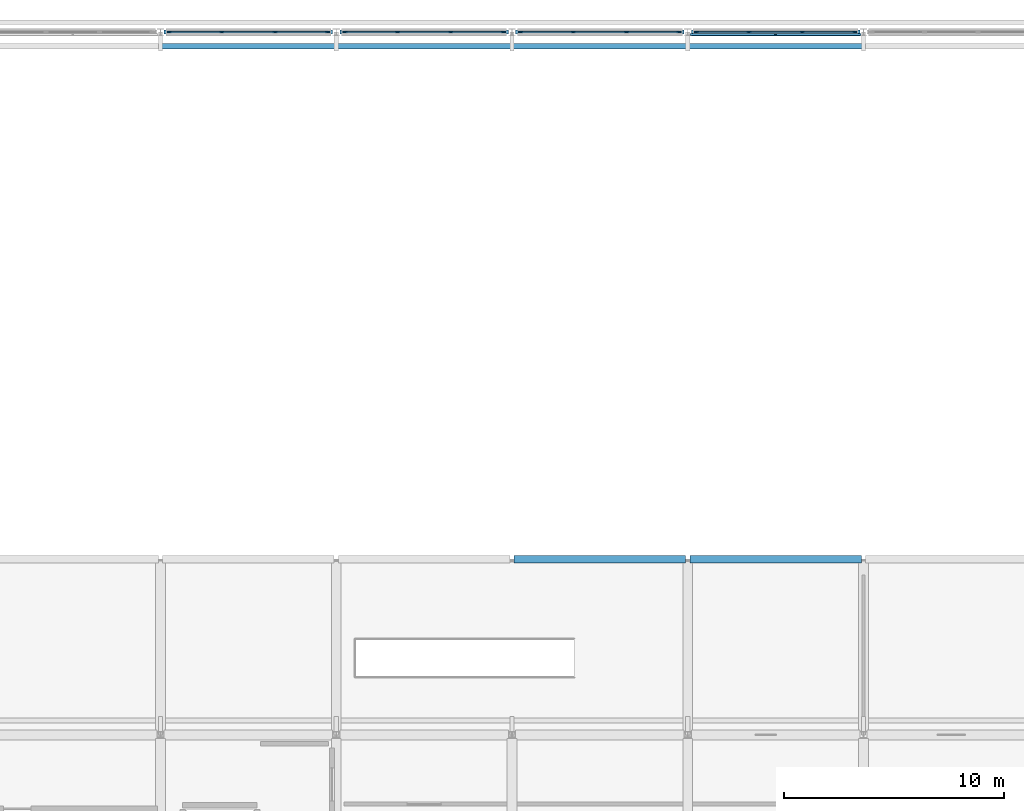
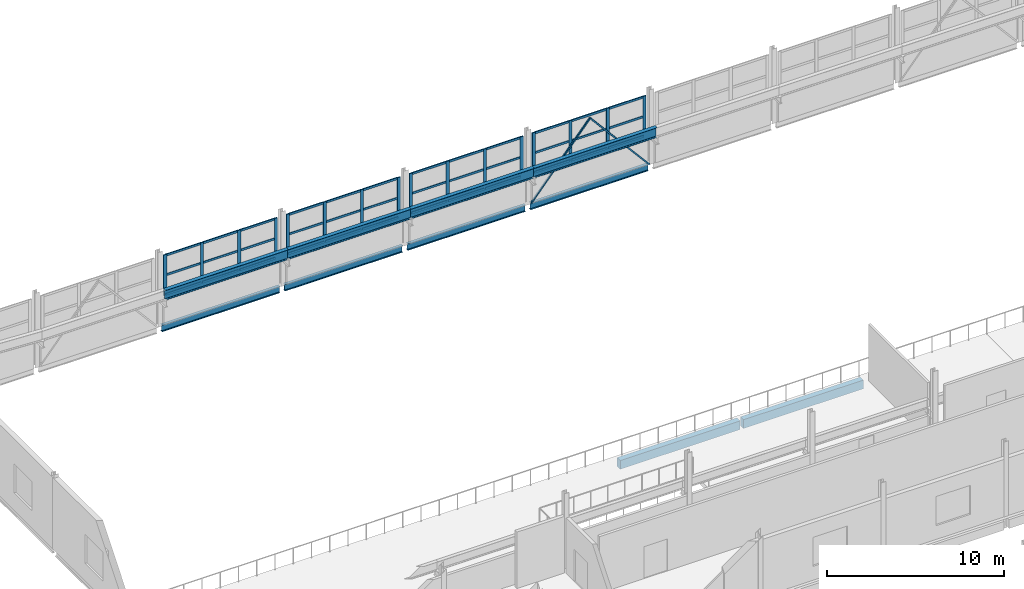
# One storey, part 47 of 106: 54 members, 10 beams, 4 elements without a shape of their own.
"""IFC4 building model written with IfcOpenShell, lengths in metres."""

from ifc_helpers import new_model, si_unit, direction, frame, origin, origin_2d, place, context, subcontext, project, spatial, rectangle, hollow_rectangle, i_section, extrude, material, layer, layer_set, material_profile, profile_set, type_object, element, aggregate, save


model = new_model("IFC4")

# Units and contexts
model_context = context("Model", 3, precision=1e-05, world=origin(), true_north=direction((0.0, 1.0)))
body_context = subcontext(model_context, "Body", "Model", "MODEL_VIEW")
ifc_project = project(units=[si_unit("LENGTHUNIT", "METRE"), si_unit("AREAUNIT", "SQUARE_METRE"), si_unit("VOLUMEUNIT", "CUBIC_METRE"), si_unit("PLANEANGLEUNIT", "RADIAN"), si_unit("MASSUNIT", "GRAM", prefix="KILO")], contexts=[model_context])

# Site, building, storey
site_placement = place(None, origin())
site = spatial("IfcSite", under=ifc_project, at=site_placement, CompositionType="ELEMENT")
building_placement = place(site_placement, origin())
building = spatial("IfcBuilding", under=site, at=building_placement, Name="Jelvoka-Kovrelna Polytechnic", CompositionType="ELEMENT")
storey_placement = place(building_placement, frame((0.0, 0.0, 4.800048828125)))
storey = spatial("IfcBuildingStorey", under=building, at=storey_placement, Name="L02", CompositionType="ELEMENT", Elevation=4.800048828125)

# Beams
ifc_material_1 = material(Name="Structural steel S355JR", Category="steel")
ifc_material_profile_1 = material_profile(ifc_material_1, i_section(OverallWidth=0.2529296875, OverallDepth=0.677978515625, WebThickness=0.01171875, FlangeThickness=0.01611328125, FilletRadius=0.01513671875, at=origin_2d()), Name="686x254x125 UB")
ifc_profile_set_1 = profile_set([ifc_material_profile_1], Name="Structural steel S355JR")
beam_type_1 = type_object("IfcBeamType", Name="CraneGirder_UB686", PredefinedType="USERDEFINED", material=ifc_profile_set_1)
for number, where, z_axis, x_axis, name in (
    (1, (104.0, 119.35009765625, 2.538818359375), (1.0, 0.0, 0.0), (0.0, 1.0, 0.0), "L02 workshop crane runway girder 006"),
    (2, (112.0, 119.35009765625, 2.538818359375), (1.0, 0.0, 0.0), (0.0, 1.0, 0.0), "L02 workshop crane runway girder 008"),
    (3, (120.0, 119.35009765625, 2.538818359375), (1.0, 0.0, 0.0), (0.0, 1.0, 0.0), "L02 workshop crane runway girder 010"),
    (4, (128.0, 119.35009765625, 2.538818359375), (1.0, 0.0, 0.0), (0.0, 1.0, 0.0), "L02 workshop crane runway girder 012"),
):
    element("IfcBeam", number, at=place(storey_placement, frame(where, z_axis=z_axis, x_axis=x_axis)), inside=storey, type_object=beam_type_1, Name=name, ObjectType="CRANE RUNWAY", PredefinedType="USERDEFINED", context=body_context, shape_type="SweptSolid", body=[
        extrude(i_section(OverallWidth=0.2529296875, OverallDepth=0.677978515625, WebThickness=0.01171875, FlangeThickness=0.01611328125, FilletRadius=0.01513671875, at=origin_2d()), origin(), (0.0, 0.0, 1.0), 8.0),
    ])
ifc_material_2 = material(Name="Structural steel S355JR", Category="steel")
ifc_material_profile_2 = material_profile(ifc_material_2, i_section(OverallWidth=0.18994140625, OverallDepth=0.453369140625, WebThickness=0.008544921875, FlangeThickness=0.0126953125, FilletRadius=0.01025390625, at=origin_2d()), Name="457x191x67 UB")
ifc_profile_set_2 = profile_set([ifc_material_profile_2], Name="Structural steel S355JR")
beam_type_2 = type_object("IfcBeamType", Name="Girder_Steel_UB457", PredefinedType="BEAM", material=ifc_profile_set_2)
for number, where, z_axis, x_axis, name in (
    (5, (104.164306640625, 120.0, -0.226806640625), (1.0, 0.0, 0.0), (0.0, 1.0, 0.0), "L02 beam 0015"),
    (6, (112.164306640625, 120.0, -0.226806640625), (1.0, 0.0, 0.0), (0.0, 1.0, 0.0), "L02 beam 0020"),
    (7, (120.164306640625, 120.0, -0.226806640625), (1.0, 0.0, 0.0), (0.0, 1.0, 0.0), "L02 beam 0025"),
    (8, (128.164306640625, 120.0, -0.226806640625), (1.0, 0.0, 0.0), (0.0, 1.0, 0.0), "L02 beam 0030"),
):
    element("IfcBeam", number, at=place(storey_placement, frame(where, z_axis=z_axis, x_axis=x_axis)), inside=storey, type_object=beam_type_2, Name=name, PredefinedType="BEAM", context=body_context, shape_type="SweptSolid", body=[
        extrude(i_section(OverallWidth=0.18994140625, OverallDepth=0.453369140625, WebThickness=0.008544921875, FlangeThickness=0.0126953125, FilletRadius=0.01025390625, at=origin_2d()), origin(), (0.0, 0.0, 1.0), 7.67138671875),
    ])

# Members
ifc_material_3 = material(Name="Structural steel S355J2H", Category="steel")
ifc_material_profile_3 = material_profile(ifc_material_3, hollow_rectangle(XDim=0.10009765625, YDim=0.10009765625, WallThickness=0.00634765625, InnerFilletRadius=0.00634765625, OuterFilletRadius=0.009521484375, at=origin_2d()), Name="100x100x6.3 SHS")
ifc_profile_set_3 = profile_set([ifc_material_profile_3], Name="Structural steel S355J2H")
member_type_1 = type_object("IfcMemberType", Name="Member_Brace_SHS100", PredefinedType="BRACE", material=ifc_profile_set_3)
for number, where, z_axis, x_axis, name in (
    (9, (128.14990234375, 119.8798828125, 0.02001953125), (0.647606697765, 0.0, 0.761974779773), (0.0, 1.0, 0.0), "L02 workshop vertical wall K-brace 0237"),
    (10, (135.85009765625, 119.8798828125, 0.02001953125), (-0.647606697765, 0.0, 0.761974779773), (0.0, -1.0, 0.0), "L02 workshop vertical wall K-brace 0238"),
):
    element("IfcMember", number, at=place(storey_placement, frame(where, z_axis=z_axis, x_axis=x_axis)), inside=storey, type_object=member_type_1, Name=name, PredefinedType="BRACE", context=body_context, shape_type="SweptSolid", body=[
        extrude(hollow_rectangle(XDim=0.10009765625, YDim=0.10009765625, WallThickness=0.00634765625, InnerFilletRadius=0.00634765625, OuterFilletRadius=0.009521484375, at=origin_2d()), origin(), (0.0, 0.0, 1.0), 5.945068359375),
    ])

# Curtain wall, members
ifc_material_4 = material(Name="Anodised aluminium 6063-T6", Category="aluminium")
ifc_layer = layer(ifc_material_4, 0.199951171875)
ifc_layer_set = layer_set([ifc_layer], Name="Anodised aluminium 6063-T6")
curtain_wall_type = type_object("IfcCurtainWallType", Name="CW_Clerestory", PredefinedType="NOTDEFINED", material=ifc_layer_set)
curtain_wall_1_placement = place(storey_placement, origin())
curtain_wall_1 = element("IfcCurtainWall", 11, at=curtain_wall_1_placement, inside=storey, type_object=curtain_wall_type, Name="L02 glazed curtain wall 171", PredefinedType="NOTDEFINED")
ifc_material_5 = material(Name="Anodised aluminium 6063-T6", Category="aluminium")
ifc_material_profile_4 = material_profile(ifc_material_5, rectangle(XDim=0.070068359375, YDim=0.199951171875, at=origin_2d()), Name="ALU 70x200")
ifc_profile_set_4 = profile_set([ifc_material_profile_4], Name="Anodised aluminium 6063-T6")
member_type_2 = type_object("IfcMemberType", Name="Mullion_M-03", PredefinedType="MULLION", material=ifc_profile_set_4)
member_1_placement = place(storey_placement, frame((104.39501953125, 120.0, 1.925048828125), z_axis=(0.0, 0.0, 1.0), x_axis=(0.0, 1.0, 0.0)))
member_1 = element("IfcMember", 12, at=member_1_placement, type_object=member_type_2, Name="CW-03 mullion 1", PredefinedType="MULLION", context=body_context, shape_type="SweptSolid", body=[
    extrude(rectangle(XDim=0.070068359375, YDim=0.199951171875, at=origin_2d()), origin(), (0.0, 0.0, 1.0), 2.820068359375),
])
member_2_placement = place(storey_placement, frame((106.78662109375, 120.0, 1.925048828125), z_axis=(0.0, 0.0, 1.0), x_axis=(0.0, 1.0, 0.0)))
member_2 = element("IfcMember", 13, at=member_2_placement, type_object=member_type_2, Name="CW-03 mullion 2", PredefinedType="MULLION", context=body_context, shape_type="SweptSolid", body=[
    extrude(rectangle(XDim=0.070068359375, YDim=0.199951171875, at=origin_2d()), origin(), (0.0, 0.0, 1.0), 2.820068359375),
])
member_3_placement = place(storey_placement, frame((109.21337890625, 120.0, 1.925048828125), z_axis=(0.0, 0.0, 1.0), x_axis=(0.0, 1.0, 0.0)))
member_3 = element("IfcMember", 14, at=member_3_placement, type_object=member_type_2, Name="CW-03 mullion 3", PredefinedType="MULLION", context=body_context, shape_type="SweptSolid", body=[
    extrude(rectangle(XDim=0.070068359375, YDim=0.199951171875, at=origin_2d()), origin(), (0.0, 0.0, 1.0), 2.820068359375),
])
member_4_placement = place(storey_placement, frame((111.60498046875, 120.0, 1.925048828125), z_axis=(0.0, 0.0, 1.0), x_axis=(0.0, 1.0, 0.0)))
member_4 = element("IfcMember", 15, at=member_4_placement, type_object=member_type_2, Name="CW-03 mullion 4", PredefinedType="MULLION", context=body_context, shape_type="SweptSolid", body=[
    extrude(rectangle(XDim=0.070068359375, YDim=0.199951171875, at=origin_2d()), origin(), (0.0, 0.0, 1.0), 2.820068359375),
])

curtain_wall_2_placement = place(storey_placement, origin())
curtain_wall_2 = element("IfcCurtainWall", 16, at=curtain_wall_2_placement, inside=storey, type_object=curtain_wall_type, Name="L02 glazed curtain wall 172", PredefinedType="NOTDEFINED")
member_5_placement = place(storey_placement, frame((112.39501953125, 120.0, 1.925048828125), z_axis=(0.0, 0.0, 1.0), x_axis=(0.0, 1.0, 0.0)))
member_5 = element("IfcMember", 17, at=member_5_placement, type_object=member_type_2, Name="CW-03 mullion 1", PredefinedType="MULLION", context=body_context, shape_type="SweptSolid", body=[
    extrude(rectangle(XDim=0.070068359375, YDim=0.199951171875, at=origin_2d()), origin(), (0.0, 0.0, 1.0), 2.820068359375),
])
member_6_placement = place(storey_placement, frame((114.78662109375, 120.0, 1.925048828125), z_axis=(0.0, 0.0, 1.0), x_axis=(0.0, 1.0, 0.0)))
member_6 = element("IfcMember", 18, at=member_6_placement, type_object=member_type_2, Name="CW-03 mullion 2", PredefinedType="MULLION", context=body_context, shape_type="SweptSolid", body=[
    extrude(rectangle(XDim=0.070068359375, YDim=0.199951171875, at=origin_2d()), origin(), (0.0, 0.0, 1.0), 2.820068359375),
])
member_7_placement = place(storey_placement, frame((117.21337890625, 120.0, 1.925048828125), z_axis=(0.0, 0.0, 1.0), x_axis=(0.0, 1.0, 0.0)))
member_7 = element("IfcMember", 19, at=member_7_placement, type_object=member_type_2, Name="CW-03 mullion 3", PredefinedType="MULLION", context=body_context, shape_type="SweptSolid", body=[
    extrude(rectangle(XDim=0.070068359375, YDim=0.199951171875, at=origin_2d()), origin(), (0.0, 0.0, 1.0), 2.820068359375),
])
member_8_placement = place(storey_placement, frame((119.60498046875, 120.0, 1.925048828125), z_axis=(0.0, 0.0, 1.0), x_axis=(0.0, 1.0, 0.0)))
member_8 = element("IfcMember", 20, at=member_8_placement, type_object=member_type_2, Name="CW-03 mullion 4", PredefinedType="MULLION", context=body_context, shape_type="SweptSolid", body=[
    extrude(rectangle(XDim=0.070068359375, YDim=0.199951171875, at=origin_2d()), origin(), (0.0, 0.0, 1.0), 2.820068359375),
])

curtain_wall_3_placement = place(storey_placement, origin())
curtain_wall_3 = element("IfcCurtainWall", 21, at=curtain_wall_3_placement, inside=storey, type_object=curtain_wall_type, Name="L02 glazed curtain wall 173", PredefinedType="NOTDEFINED")
member_9_placement = place(storey_placement, frame((120.39501953125, 120.0, 1.925048828125), z_axis=(0.0, 0.0, 1.0), x_axis=(0.0, 1.0, 0.0)))
member_9 = element("IfcMember", 22, at=member_9_placement, type_object=member_type_2, Name="CW-03 mullion 1", PredefinedType="MULLION", context=body_context, shape_type="SweptSolid", body=[
    extrude(rectangle(XDim=0.070068359375, YDim=0.199951171875, at=origin_2d()), origin(), (0.0, 0.0, 1.0), 2.820068359375),
])
member_10_placement = place(storey_placement, frame((122.78662109375, 120.0, 1.925048828125), z_axis=(0.0, 0.0, 1.0), x_axis=(0.0, 1.0, 0.0)))
member_10 = element("IfcMember", 23, at=member_10_placement, type_object=member_type_2, Name="CW-03 mullion 2", PredefinedType="MULLION", context=body_context, shape_type="SweptSolid", body=[
    extrude(rectangle(XDim=0.070068359375, YDim=0.199951171875, at=origin_2d()), origin(), (0.0, 0.0, 1.0), 2.820068359375),
])
member_11_placement = place(storey_placement, frame((125.21337890625, 120.0, 1.925048828125), z_axis=(0.0, 0.0, 1.0), x_axis=(0.0, 1.0, 0.0)))
member_11 = element("IfcMember", 24, at=member_11_placement, type_object=member_type_2, Name="CW-03 mullion 3", PredefinedType="MULLION", context=body_context, shape_type="SweptSolid", body=[
    extrude(rectangle(XDim=0.070068359375, YDim=0.199951171875, at=origin_2d()), origin(), (0.0, 0.0, 1.0), 2.820068359375),
])
member_12_placement = place(storey_placement, frame((127.60498046875, 120.0, 1.925048828125), z_axis=(0.0, 0.0, 1.0), x_axis=(0.0, 1.0, 0.0)))
member_12 = element("IfcMember", 25, at=member_12_placement, type_object=member_type_2, Name="CW-03 mullion 4", PredefinedType="MULLION", context=body_context, shape_type="SweptSolid", body=[
    extrude(rectangle(XDim=0.070068359375, YDim=0.199951171875, at=origin_2d()), origin(), (0.0, 0.0, 1.0), 2.820068359375),
])

curtain_wall_4_placement = place(storey_placement, origin())
curtain_wall_4 = element("IfcCurtainWall", 26, at=curtain_wall_4_placement, inside=storey, type_object=curtain_wall_type, Name="L02 glazed curtain wall 174", PredefinedType="NOTDEFINED")
member_13_placement = place(storey_placement, frame((128.39501953125, 120.0, 1.925048828125), z_axis=(0.0, 0.0, 1.0), x_axis=(0.0, 1.0, 0.0)))
member_13 = element("IfcMember", 27, at=member_13_placement, type_object=member_type_2, Name="CW-03 mullion 1", PredefinedType="MULLION", context=body_context, shape_type="SweptSolid", body=[
    extrude(rectangle(XDim=0.070068359375, YDim=0.199951171875, at=origin_2d()), origin(), (0.0, 0.0, 1.0), 2.820068359375),
])
member_14_placement = place(storey_placement, frame((130.78662109375, 120.0, 1.925048828125), z_axis=(0.0, 0.0, 1.0), x_axis=(0.0, 1.0, 0.0)))
member_14 = element("IfcMember", 28, at=member_14_placement, type_object=member_type_2, Name="CW-03 mullion 2", PredefinedType="MULLION", context=body_context, shape_type="SweptSolid", body=[
    extrude(rectangle(XDim=0.070068359375, YDim=0.199951171875, at=origin_2d()), origin(), (0.0, 0.0, 1.0), 2.820068359375),
])
member_15_placement = place(storey_placement, frame((133.21337890625, 120.0, 1.925048828125), z_axis=(0.0, 0.0, 1.0), x_axis=(0.0, 1.0, 0.0)))
member_15 = element("IfcMember", 29, at=member_15_placement, type_object=member_type_2, Name="CW-03 mullion 3", PredefinedType="MULLION", context=body_context, shape_type="SweptSolid", body=[
    extrude(rectangle(XDim=0.070068359375, YDim=0.199951171875, at=origin_2d()), origin(), (0.0, 0.0, 1.0), 2.820068359375),
])
member_16_placement = place(storey_placement, frame((135.60498046875, 120.0, 1.925048828125), z_axis=(0.0, 0.0, 1.0), x_axis=(0.0, 1.0, 0.0)))
member_16 = element("IfcMember", 30, at=member_16_placement, type_object=member_type_2, Name="CW-03 mullion 4", PredefinedType="MULLION", context=body_context, shape_type="SweptSolid", body=[
    extrude(rectangle(XDim=0.070068359375, YDim=0.199951171875, at=origin_2d()), origin(), (0.0, 0.0, 1.0), 2.820068359375),
])

# Beams
ifc_material_6 = material(Name="Concrete C40/50", Category="concrete")
ifc_material_profile_5 = material_profile(ifc_material_6, rectangle(XDim=0.35009765625, YDim=0.60009765625, at=origin_2d()), Name="RC 350x600")
ifc_profile_set_5 = profile_set([ifc_material_profile_5], Name="Concrete C40/50")
beam_type_3 = type_object("IfcBeamType", Name="Spandrel_RC_350x600", PredefinedType="SPANDREL", material=ifc_profile_set_5)
for number, where, z_axis, x_axis, name in (
    (31, (120.0830078125, 96.0, -0.580078125), (1.0, 0.0, 0.0), (0.0, 1.0, 0.0), "L02 beam 0564"),
    (32, (128.107421875, 96.0, -0.580078125), (1.0, 0.0, 0.0), (0.0, 1.0, 0.0), "L02 beam 0565"),
):
    element("IfcBeam", number, at=place(storey_placement, frame(where, z_axis=z_axis, x_axis=x_axis)), inside=storey, type_object=beam_type_3, Name=name, PredefinedType="SPANDREL", context=body_context, shape_type="SweptSolid", body=[
        extrude(rectangle(XDim=0.35009765625, YDim=0.60009765625, at=origin_2d()), origin(), (0.0, 0.0, 1.0), 7.8095703125),
    ])

# Member
ifc_material_7 = material(Name="Anodised aluminium 6063-T6", Category="aluminium")
ifc_material_profile_6 = material_profile(ifc_material_7, rectangle(XDim=0.070068359375, YDim=0.14501953125, at=origin_2d()), Name="ALU 70x145")
ifc_profile_set_6 = profile_set([ifc_material_profile_6], Name="Anodised aluminium 6063-T6")
member_type_3 = type_object("IfcMemberType", Name="Transom_T-03", PredefinedType="USERDEFINED", material=ifc_profile_set_6)
member_17_placement = place(storey_placement, frame((104.429931640625, 120.0, 1.98486328125), z_axis=(1.0, 0.0, 0.0), x_axis=(0.0, 1.0, 0.0)))
member_17 = element("IfcMember", 33, at=member_17_placement, type_object=member_type_3, Name="CW-03 transom 1.1", ObjectType="TRANSOM", PredefinedType="USERDEFINED", context=body_context, shape_type="SweptSolid", body=[
    extrude(rectangle(XDim=0.070068359375, YDim=0.14501953125, at=origin_2d()), origin(), (0.0, 0.0, 1.0), 2.32177734375),
])

member_18_placement = place(storey_placement, frame((104.429931640625, 120.0, 3.3349609375), z_axis=(1.0, 0.0, 0.0), x_axis=(0.0, 1.0, 0.0)))
member_18 = element("IfcMember", 34, at=member_18_placement, type_object=member_type_3, Name="CW-03 transom 1.2", ObjectType="TRANSOM", PredefinedType="USERDEFINED", context=body_context, shape_type="SweptSolid", body=[
    extrude(rectangle(XDim=0.070068359375, YDim=0.14501953125, at=origin_2d()), origin(), (0.0, 0.0, 1.0), 2.32177734375),
])

member_19_placement = place(storey_placement, frame((104.429931640625, 120.0, 4.68505859375), z_axis=(1.0, 0.0, 0.0), x_axis=(0.0, 1.0, 0.0)))
member_19 = element("IfcMember", 35, at=member_19_placement, type_object=member_type_3, Name="CW-03 transom 1.3", ObjectType="TRANSOM", PredefinedType="USERDEFINED", context=body_context, shape_type="SweptSolid", body=[
    extrude(rectangle(XDim=0.070068359375, YDim=0.14501953125, at=origin_2d()), origin(), (0.0, 0.0, 1.0), 2.32177734375),
])

member_20_placement = place(storey_placement, frame((106.82177734375, 120.0, 1.98486328125), z_axis=(1.0, 0.0, 0.0), x_axis=(0.0, 1.0, 0.0)))
member_20 = element("IfcMember", 36, at=member_20_placement, type_object=member_type_3, Name="CW-03 transom 2.1", ObjectType="TRANSOM", PredefinedType="USERDEFINED", context=body_context, shape_type="SweptSolid", body=[
    extrude(rectangle(XDim=0.070068359375, YDim=0.14501953125, at=origin_2d()), origin(), (0.0, 0.0, 1.0), 2.3564453125),
])

member_21_placement = place(storey_placement, frame((106.82177734375, 120.0, 3.3349609375), z_axis=(1.0, 0.0, 0.0), x_axis=(0.0, 1.0, 0.0)))
member_21 = element("IfcMember", 37, at=member_21_placement, type_object=member_type_3, Name="CW-03 transom 2.2", ObjectType="TRANSOM", PredefinedType="USERDEFINED", context=body_context, shape_type="SweptSolid", body=[
    extrude(rectangle(XDim=0.070068359375, YDim=0.14501953125, at=origin_2d()), origin(), (0.0, 0.0, 1.0), 2.3564453125),
])

member_22_placement = place(storey_placement, frame((106.82177734375, 120.0, 4.68505859375), z_axis=(1.0, 0.0, 0.0), x_axis=(0.0, 1.0, 0.0)))
member_22 = element("IfcMember", 38, at=member_22_placement, type_object=member_type_3, Name="CW-03 transom 2.3", ObjectType="TRANSOM", PredefinedType="USERDEFINED", context=body_context, shape_type="SweptSolid", body=[
    extrude(rectangle(XDim=0.070068359375, YDim=0.14501953125, at=origin_2d()), origin(), (0.0, 0.0, 1.0), 2.3564453125),
])

member_23_placement = place(storey_placement, frame((109.248291015625, 120.0, 1.98486328125), z_axis=(1.0, 0.0, 0.0), x_axis=(0.0, 1.0, 0.0)))
member_23 = element("IfcMember", 39, at=member_23_placement, type_object=member_type_3, Name="CW-03 transom 3.1", ObjectType="TRANSOM", PredefinedType="USERDEFINED", context=body_context, shape_type="SweptSolid", body=[
    extrude(rectangle(XDim=0.070068359375, YDim=0.14501953125, at=origin_2d()), origin(), (0.0, 0.0, 1.0), 2.32177734375),
])

member_24_placement = place(storey_placement, frame((109.248291015625, 120.0, 3.3349609375), z_axis=(1.0, 0.0, 0.0), x_axis=(0.0, 1.0, 0.0)))
member_24 = element("IfcMember", 40, at=member_24_placement, type_object=member_type_3, Name="CW-03 transom 3.2", ObjectType="TRANSOM", PredefinedType="USERDEFINED", context=body_context, shape_type="SweptSolid", body=[
    extrude(rectangle(XDim=0.070068359375, YDim=0.14501953125, at=origin_2d()), origin(), (0.0, 0.0, 1.0), 2.32177734375),
])

member_25_placement = place(storey_placement, frame((109.248291015625, 120.0, 4.68505859375), z_axis=(1.0, 0.0, 0.0), x_axis=(0.0, 1.0, 0.0)))
member_25 = element("IfcMember", 41, at=member_25_placement, type_object=member_type_3, Name="CW-03 transom 3.3", ObjectType="TRANSOM", PredefinedType="USERDEFINED", context=body_context, shape_type="SweptSolid", body=[
    extrude(rectangle(XDim=0.070068359375, YDim=0.14501953125, at=origin_2d()), origin(), (0.0, 0.0, 1.0), 2.32177734375),
])

aggregate(curtain_wall_1, [member_1, member_2, member_3, member_4, member_17, member_18, member_19, member_20, member_21, member_22, member_23, member_24, member_25])

member_26_placement = place(storey_placement, frame((112.429931640625, 120.0, 1.98486328125), z_axis=(1.0, 0.0, 0.0), x_axis=(0.0, 1.0, 0.0)))
member_26 = element("IfcMember", 42, at=member_26_placement, type_object=member_type_3, Name="CW-03 transom 1.1", ObjectType="TRANSOM", PredefinedType="USERDEFINED", context=body_context, shape_type="SweptSolid", body=[
    extrude(rectangle(XDim=0.070068359375, YDim=0.14501953125, at=origin_2d()), origin(), (0.0, 0.0, 1.0), 2.32177734375),
])

member_27_placement = place(storey_placement, frame((112.429931640625, 120.0, 3.3349609375), z_axis=(1.0, 0.0, 0.0), x_axis=(0.0, 1.0, 0.0)))
member_27 = element("IfcMember", 43, at=member_27_placement, type_object=member_type_3, Name="CW-03 transom 1.2", ObjectType="TRANSOM", PredefinedType="USERDEFINED", context=body_context, shape_type="SweptSolid", body=[
    extrude(rectangle(XDim=0.070068359375, YDim=0.14501953125, at=origin_2d()), origin(), (0.0, 0.0, 1.0), 2.32177734375),
])

member_28_placement = place(storey_placement, frame((112.429931640625, 120.0, 4.68505859375), z_axis=(1.0, 0.0, 0.0), x_axis=(0.0, 1.0, 0.0)))
member_28 = element("IfcMember", 44, at=member_28_placement, type_object=member_type_3, Name="CW-03 transom 1.3", ObjectType="TRANSOM", PredefinedType="USERDEFINED", context=body_context, shape_type="SweptSolid", body=[
    extrude(rectangle(XDim=0.070068359375, YDim=0.14501953125, at=origin_2d()), origin(), (0.0, 0.0, 1.0), 2.32177734375),
])

member_29_placement = place(storey_placement, frame((114.82177734375, 120.0, 1.98486328125), z_axis=(1.0, 0.0, 0.0), x_axis=(0.0, 1.0, 0.0)))
member_29 = element("IfcMember", 45, at=member_29_placement, type_object=member_type_3, Name="CW-03 transom 2.1", ObjectType="TRANSOM", PredefinedType="USERDEFINED", context=body_context, shape_type="SweptSolid", body=[
    extrude(rectangle(XDim=0.070068359375, YDim=0.14501953125, at=origin_2d()), origin(), (0.0, 0.0, 1.0), 2.3564453125),
])

member_30_placement = place(storey_placement, frame((114.82177734375, 120.0, 3.3349609375), z_axis=(1.0, 0.0, 0.0), x_axis=(0.0, 1.0, 0.0)))
member_30 = element("IfcMember", 46, at=member_30_placement, type_object=member_type_3, Name="CW-03 transom 2.2", ObjectType="TRANSOM", PredefinedType="USERDEFINED", context=body_context, shape_type="SweptSolid", body=[
    extrude(rectangle(XDim=0.070068359375, YDim=0.14501953125, at=origin_2d()), origin(), (0.0, 0.0, 1.0), 2.3564453125),
])

member_31_placement = place(storey_placement, frame((114.82177734375, 120.0, 4.68505859375), z_axis=(1.0, 0.0, 0.0), x_axis=(0.0, 1.0, 0.0)))
member_31 = element("IfcMember", 47, at=member_31_placement, type_object=member_type_3, Name="CW-03 transom 2.3", ObjectType="TRANSOM", PredefinedType="USERDEFINED", context=body_context, shape_type="SweptSolid", body=[
    extrude(rectangle(XDim=0.070068359375, YDim=0.14501953125, at=origin_2d()), origin(), (0.0, 0.0, 1.0), 2.3564453125),
])

member_32_placement = place(storey_placement, frame((117.248291015625, 120.0, 1.98486328125), z_axis=(1.0, 0.0, 0.0), x_axis=(0.0, 1.0, 0.0)))
member_32 = element("IfcMember", 48, at=member_32_placement, type_object=member_type_3, Name="CW-03 transom 3.1", ObjectType="TRANSOM", PredefinedType="USERDEFINED", context=body_context, shape_type="SweptSolid", body=[
    extrude(rectangle(XDim=0.070068359375, YDim=0.14501953125, at=origin_2d()), origin(), (0.0, 0.0, 1.0), 2.32177734375),
])

member_33_placement = place(storey_placement, frame((117.248291015625, 120.0, 3.3349609375), z_axis=(1.0, 0.0, 0.0), x_axis=(0.0, 1.0, 0.0)))
member_33 = element("IfcMember", 49, at=member_33_placement, type_object=member_type_3, Name="CW-03 transom 3.2", ObjectType="TRANSOM", PredefinedType="USERDEFINED", context=body_context, shape_type="SweptSolid", body=[
    extrude(rectangle(XDim=0.070068359375, YDim=0.14501953125, at=origin_2d()), origin(), (0.0, 0.0, 1.0), 2.32177734375),
])

member_34_placement = place(storey_placement, frame((117.248291015625, 120.0, 4.68505859375), z_axis=(1.0, 0.0, 0.0), x_axis=(0.0, 1.0, 0.0)))
member_34 = element("IfcMember", 50, at=member_34_placement, type_object=member_type_3, Name="CW-03 transom 3.3", ObjectType="TRANSOM", PredefinedType="USERDEFINED", context=body_context, shape_type="SweptSolid", body=[
    extrude(rectangle(XDim=0.070068359375, YDim=0.14501953125, at=origin_2d()), origin(), (0.0, 0.0, 1.0), 2.32177734375),
])

aggregate(curtain_wall_2, [member_5, member_6, member_7, member_8, member_26, member_27, member_28, member_29, member_30, member_31, member_32, member_33, member_34])

member_35_placement = place(storey_placement, frame((120.429931640625, 120.0, 1.98486328125), z_axis=(1.0, 0.0, 0.0), x_axis=(0.0, 1.0, 0.0)))
member_35 = element("IfcMember", 51, at=member_35_placement, type_object=member_type_3, Name="CW-03 transom 1.1", ObjectType="TRANSOM", PredefinedType="USERDEFINED", context=body_context, shape_type="SweptSolid", body=[
    extrude(rectangle(XDim=0.070068359375, YDim=0.14501953125, at=origin_2d()), origin(), (0.0, 0.0, 1.0), 2.32177734375),
])

member_36_placement = place(storey_placement, frame((120.429931640625, 120.0, 3.3349609375), z_axis=(1.0, 0.0, 0.0), x_axis=(0.0, 1.0, 0.0)))
member_36 = element("IfcMember", 52, at=member_36_placement, type_object=member_type_3, Name="CW-03 transom 1.2", ObjectType="TRANSOM", PredefinedType="USERDEFINED", context=body_context, shape_type="SweptSolid", body=[
    extrude(rectangle(XDim=0.070068359375, YDim=0.14501953125, at=origin_2d()), origin(), (0.0, 0.0, 1.0), 2.32177734375),
])

member_37_placement = place(storey_placement, frame((120.429931640625, 120.0, 4.68505859375), z_axis=(1.0, 0.0, 0.0), x_axis=(0.0, 1.0, 0.0)))
member_37 = element("IfcMember", 53, at=member_37_placement, type_object=member_type_3, Name="CW-03 transom 1.3", ObjectType="TRANSOM", PredefinedType="USERDEFINED", context=body_context, shape_type="SweptSolid", body=[
    extrude(rectangle(XDim=0.070068359375, YDim=0.14501953125, at=origin_2d()), origin(), (0.0, 0.0, 1.0), 2.32177734375),
])

member_38_placement = place(storey_placement, frame((122.82177734375, 120.0, 1.98486328125), z_axis=(1.0, 0.0, 0.0), x_axis=(0.0, 1.0, 0.0)))
member_38 = element("IfcMember", 54, at=member_38_placement, type_object=member_type_3, Name="CW-03 transom 2.1", ObjectType="TRANSOM", PredefinedType="USERDEFINED", context=body_context, shape_type="SweptSolid", body=[
    extrude(rectangle(XDim=0.070068359375, YDim=0.14501953125, at=origin_2d()), origin(), (0.0, 0.0, 1.0), 2.3564453125),
])

member_39_placement = place(storey_placement, frame((122.82177734375, 120.0, 3.3349609375), z_axis=(1.0, 0.0, 0.0), x_axis=(0.0, 1.0, 0.0)))
member_39 = element("IfcMember", 55, at=member_39_placement, type_object=member_type_3, Name="CW-03 transom 2.2", ObjectType="TRANSOM", PredefinedType="USERDEFINED", context=body_context, shape_type="SweptSolid", body=[
    extrude(rectangle(XDim=0.070068359375, YDim=0.14501953125, at=origin_2d()), origin(), (0.0, 0.0, 1.0), 2.3564453125),
])

member_40_placement = place(storey_placement, frame((122.82177734375, 120.0, 4.68505859375), z_axis=(1.0, 0.0, 0.0), x_axis=(0.0, 1.0, 0.0)))
member_40 = element("IfcMember", 56, at=member_40_placement, type_object=member_type_3, Name="CW-03 transom 2.3", ObjectType="TRANSOM", PredefinedType="USERDEFINED", context=body_context, shape_type="SweptSolid", body=[
    extrude(rectangle(XDim=0.070068359375, YDim=0.14501953125, at=origin_2d()), origin(), (0.0, 0.0, 1.0), 2.3564453125),
])

member_41_placement = place(storey_placement, frame((125.248291015625, 120.0, 1.98486328125), z_axis=(1.0, 0.0, 0.0), x_axis=(0.0, 1.0, 0.0)))
member_41 = element("IfcMember", 57, at=member_41_placement, type_object=member_type_3, Name="CW-03 transom 3.1", ObjectType="TRANSOM", PredefinedType="USERDEFINED", context=body_context, shape_type="SweptSolid", body=[
    extrude(rectangle(XDim=0.070068359375, YDim=0.14501953125, at=origin_2d()), origin(), (0.0, 0.0, 1.0), 2.32177734375),
])

member_42_placement = place(storey_placement, frame((125.248291015625, 120.0, 3.3349609375), z_axis=(1.0, 0.0, 0.0), x_axis=(0.0, 1.0, 0.0)))
member_42 = element("IfcMember", 58, at=member_42_placement, type_object=member_type_3, Name="CW-03 transom 3.2", ObjectType="TRANSOM", PredefinedType="USERDEFINED", context=body_context, shape_type="SweptSolid", body=[
    extrude(rectangle(XDim=0.070068359375, YDim=0.14501953125, at=origin_2d()), origin(), (0.0, 0.0, 1.0), 2.32177734375),
])

member_43_placement = place(storey_placement, frame((125.248291015625, 120.0, 4.68505859375), z_axis=(1.0, 0.0, 0.0), x_axis=(0.0, 1.0, 0.0)))
member_43 = element("IfcMember", 59, at=member_43_placement, type_object=member_type_3, Name="CW-03 transom 3.3", ObjectType="TRANSOM", PredefinedType="USERDEFINED", context=body_context, shape_type="SweptSolid", body=[
    extrude(rectangle(XDim=0.070068359375, YDim=0.14501953125, at=origin_2d()), origin(), (0.0, 0.0, 1.0), 2.32177734375),
])

aggregate(curtain_wall_3, [member_9, member_10, member_11, member_12, member_35, member_36, member_37, member_38, member_39, member_40, member_41, member_42, member_43])

member_44_placement = place(storey_placement, frame((128.429931640625, 120.0, 1.98486328125), z_axis=(1.0, 0.0, 0.0), x_axis=(0.0, 1.0, 0.0)))
member_44 = element("IfcMember", 60, at=member_44_placement, type_object=member_type_3, Name="CW-03 transom 1.1", ObjectType="TRANSOM", PredefinedType="USERDEFINED", context=body_context, shape_type="SweptSolid", body=[
    extrude(rectangle(XDim=0.070068359375, YDim=0.14501953125, at=origin_2d()), origin(), (0.0, 0.0, 1.0), 2.32177734375),
])

member_45_placement = place(storey_placement, frame((128.429931640625, 120.0, 3.3349609375), z_axis=(1.0, 0.0, 0.0), x_axis=(0.0, 1.0, 0.0)))
member_45 = element("IfcMember", 61, at=member_45_placement, type_object=member_type_3, Name="CW-03 transom 1.2", ObjectType="TRANSOM", PredefinedType="USERDEFINED", context=body_context, shape_type="SweptSolid", body=[
    extrude(rectangle(XDim=0.070068359375, YDim=0.14501953125, at=origin_2d()), origin(), (0.0, 0.0, 1.0), 2.32177734375),
])

member_46_placement = place(storey_placement, frame((128.429931640625, 120.0, 4.68505859375), z_axis=(1.0, 0.0, 0.0), x_axis=(0.0, 1.0, 0.0)))
member_46 = element("IfcMember", 62, at=member_46_placement, type_object=member_type_3, Name="CW-03 transom 1.3", ObjectType="TRANSOM", PredefinedType="USERDEFINED", context=body_context, shape_type="SweptSolid", body=[
    extrude(rectangle(XDim=0.070068359375, YDim=0.14501953125, at=origin_2d()), origin(), (0.0, 0.0, 1.0), 2.32177734375),
])

member_47_placement = place(storey_placement, frame((130.82177734375, 120.0, 1.98486328125), z_axis=(1.0, 0.0, 0.0), x_axis=(0.0, 1.0, 0.0)))
member_47 = element("IfcMember", 63, at=member_47_placement, type_object=member_type_3, Name="CW-03 transom 2.1", ObjectType="TRANSOM", PredefinedType="USERDEFINED", context=body_context, shape_type="SweptSolid", body=[
    extrude(rectangle(XDim=0.070068359375, YDim=0.14501953125, at=origin_2d()), origin(), (0.0, 0.0, 1.0), 2.3564453125),
])

member_48_placement = place(storey_placement, frame((130.82177734375, 120.0, 3.3349609375), z_axis=(1.0, 0.0, 0.0), x_axis=(0.0, 1.0, 0.0)))
member_48 = element("IfcMember", 64, at=member_48_placement, type_object=member_type_3, Name="CW-03 transom 2.2", ObjectType="TRANSOM", PredefinedType="USERDEFINED", context=body_context, shape_type="SweptSolid", body=[
    extrude(rectangle(XDim=0.070068359375, YDim=0.14501953125, at=origin_2d()), origin(), (0.0, 0.0, 1.0), 2.3564453125),
])

member_49_placement = place(storey_placement, frame((130.82177734375, 120.0, 4.68505859375), z_axis=(1.0, 0.0, 0.0), x_axis=(0.0, 1.0, 0.0)))
member_49 = element("IfcMember", 65, at=member_49_placement, type_object=member_type_3, Name="CW-03 transom 2.3", ObjectType="TRANSOM", PredefinedType="USERDEFINED", context=body_context, shape_type="SweptSolid", body=[
    extrude(rectangle(XDim=0.070068359375, YDim=0.14501953125, at=origin_2d()), origin(), (0.0, 0.0, 1.0), 2.3564453125),
])

member_50_placement = place(storey_placement, frame((133.248291015625, 120.0, 1.98486328125), z_axis=(1.0, 0.0, 0.0), x_axis=(0.0, 1.0, 0.0)))
member_50 = element("IfcMember", 66, at=member_50_placement, type_object=member_type_3, Name="CW-03 transom 3.1", ObjectType="TRANSOM", PredefinedType="USERDEFINED", context=body_context, shape_type="SweptSolid", body=[
    extrude(rectangle(XDim=0.070068359375, YDim=0.14501953125, at=origin_2d()), origin(), (0.0, 0.0, 1.0), 2.32177734375),
])

member_51_placement = place(storey_placement, frame((133.248291015625, 120.0, 3.3349609375), z_axis=(1.0, 0.0, 0.0), x_axis=(0.0, 1.0, 0.0)))
member_51 = element("IfcMember", 67, at=member_51_placement, type_object=member_type_3, Name="CW-03 transom 3.2", ObjectType="TRANSOM", PredefinedType="USERDEFINED", context=body_context, shape_type="SweptSolid", body=[
    extrude(rectangle(XDim=0.070068359375, YDim=0.14501953125, at=origin_2d()), origin(), (0.0, 0.0, 1.0), 2.32177734375),
])

member_52_placement = place(storey_placement, frame((133.248291015625, 120.0, 4.68505859375), z_axis=(1.0, 0.0, 0.0), x_axis=(0.0, 1.0, 0.0)))
member_52 = element("IfcMember", 68, at=member_52_placement, type_object=member_type_3, Name="CW-03 transom 3.3", ObjectType="TRANSOM", PredefinedType="USERDEFINED", context=body_context, shape_type="SweptSolid", body=[
    extrude(rectangle(XDim=0.070068359375, YDim=0.14501953125, at=origin_2d()), origin(), (0.0, 0.0, 1.0), 2.32177734375),
])

aggregate(curtain_wall_4, [member_13, member_14, member_15, member_16, member_44, member_45, member_46, member_47, member_48, member_49, member_50, member_51, member_52])

save(model, "model.ifc")
